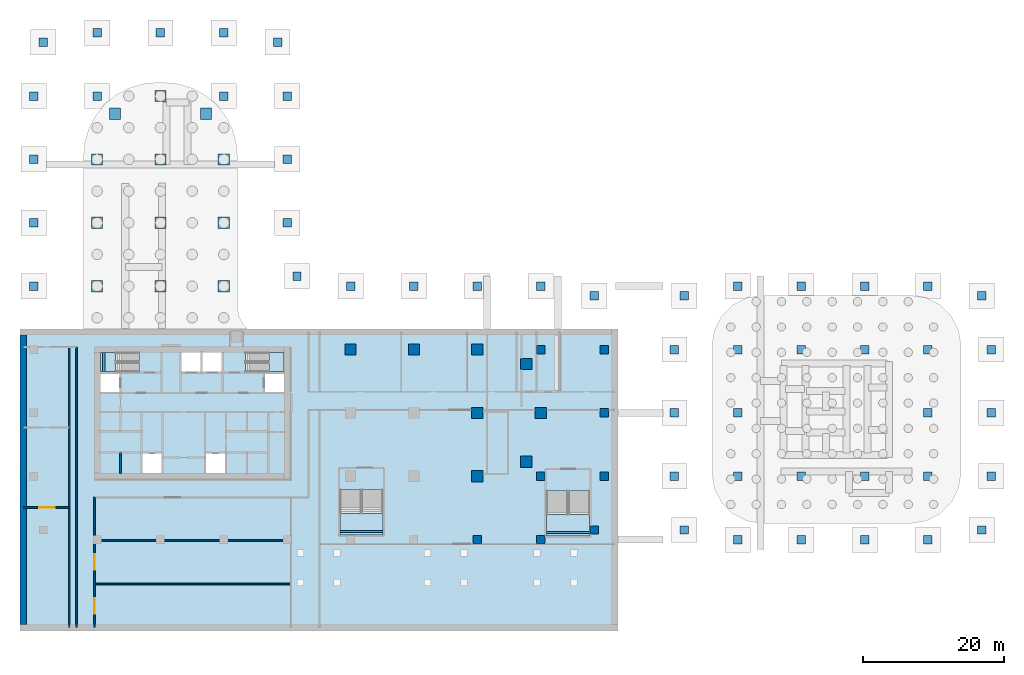
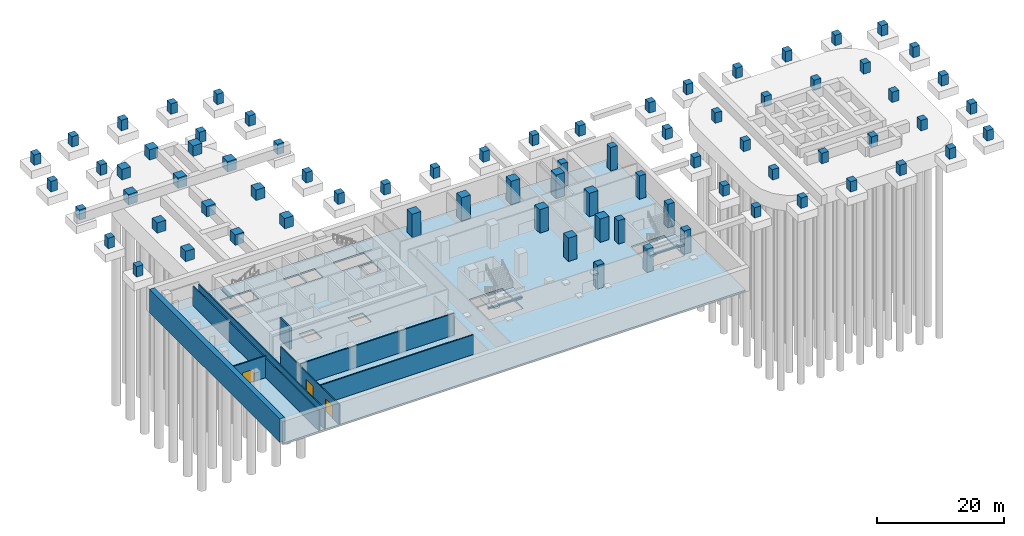
# One storey, part 3 of 14: 76 columns, 8 walls, 5 slabs, 3 beams, 3 doors, 3 openings, 4 elements without a shape of their own.
"""IFC4 building model written with IfcOpenShell, lengths in metres."""

from ifc_helpers import new_model, si_unit, direction, frame, frame_2d, origin, origin_2d, place, context, subcontext, project, spatial, polyline, rectangle, outline, extrude, material, layer, layer_set, material_profile, profile_set, type_object, element, fill, aggregate, save


model = new_model("IFC4")

# Units and contexts
model_context = context("Model", 3, precision=1e-05, world=origin(), true_north=direction((0.0, 1.0)))
body_context = subcontext(model_context, "Body", "Model", "MODEL_VIEW")
ifc_project = project(units=[si_unit("LENGTHUNIT", "METRE"), si_unit("AREAUNIT", "SQUARE_METRE"), si_unit("VOLUMEUNIT", "CUBIC_METRE"), si_unit("PLANEANGLEUNIT", "RADIAN"), si_unit("MASSUNIT", "GRAM", prefix="KILO")], contexts=[model_context])

# Site, building, storey
site_placement = place(None, origin())
site = spatial("IfcSite", under=ifc_project, at=site_placement, CompositionType="ELEMENT")
building_placement = place(site_placement, origin())
building = spatial("IfcBuilding", under=site, at=building_placement, Name="Ogive Portal Towers", CompositionType="ELEMENT")
storey_placement = place(building_placement, frame((0.0, 0.0, -4.5)))
storey = spatial("IfcBuildingStorey", under=building, at=storey_placement, Name="B1", CompositionType="ELEMENT", Elevation=-4.5)

# Columns
ifc_material_1 = material(Name="Concrete C50/60", Category="concrete")
ifc_material_profile_1 = material_profile(ifc_material_1, rectangle(XDim=1.199951171875, YDim=1.199951171875, at=origin_2d()), Name="RC 1200x1200")
ifc_profile_set_1 = profile_set([ifc_material_profile_1], Name="Concrete C50/60")
column_type_1 = type_object("IfcColumnType", Name="COLUMN RC 1200x1200", PredefinedType="COLUMN", material=ifc_profile_set_1)
for number, where, z_axis, x_axis, name in (
    (1, (85.5, 12.5, 0.0), (0.0, 0.0, 1.0), (1.0, 0.0, 0.0), "Column 7/Z B1"),
    (2, (94.5, 12.5, 0.0), (0.0, 0.0, 1.0), (1.0, 0.0, 0.0), "Column 8/Z B1"),
    (3, (102.1298828125, 13.8701171875, 0.0), (0.0, 0.0, 1.0), (1.0, 0.0, 0.0), "Column B1"),
    (4, (94.5, 21.5, 0.0), (0.0, 0.0, 1.0), (1.0, 0.0, 0.0), "Column 8/A B1"),
    (5, (103.5, 21.5, 0.0), (0.0, 0.0, 1.0), (1.0, 0.0, 0.0), "Column 9/A B1"),
    (6, (103.5, 30.5, 0.0), (0.0, 0.0, 1.0), (1.0, 0.0, 0.0), "Column 9/B B1"),
    (7, (94.5, 39.5, 0.0), (0.0, 0.0, 1.0), (1.0, 0.0, 0.0), "Column 8/C B1"),
    (8, (103.5, 39.5, 0.0), (0.0, 0.0, 1.0), (1.0, 0.0, 0.0), "Column 9/C B1"),
):
    element("IfcColumn", number, at=place(storey_placement, frame(where, z_axis=z_axis, x_axis=x_axis)), inside=storey, type_object=column_type_1, Name=name, PredefinedType="COLUMN", context=body_context, shape_type="SweptSolid", body=[
        extrude(rectangle(XDim=1.199951171875, YDim=1.199951171875, at=origin_2d()), origin(), (0.0, 0.0, 1.0), 4.5),
    ])
for number, where, z_axis, x_axis, name in (
    (9, (22.5, 48.5, 2.5), (0.0, 0.0, 1.0), (1.0, 0.0, 0.0), "Column stub B1"),
    (10, (22.5, 57.5, 2.5), (0.0, 0.0, 1.0), (1.0, 0.0, 0.0), "Column stub B1"),
    (11, (22.5, 66.5, 2.5), (0.0, 0.0, 1.0), (1.0, 0.0, 0.0), "Column stub B1"),
    (12, (22.5, 75.5, 2.5), (0.0, 0.0, 1.0), (1.0, 0.0, 0.0), "Column stub B1"),
    (13, (23.8701171875, 83.1298828125, 2.5), (0.0, 0.0, 1.0), (1.0, 0.0, 0.0), "Column stub B1"),
    (14, (31.5, 75.5, 2.5), (0.0, 0.0, 1.0), (1.0, 0.0, 0.0), "Column stub B1"),
    (15, (31.5, 84.5, 2.5), (0.0, 0.0, 1.0), (1.0, 0.0, 0.0), "Column stub B1"),
    (16, (40.5, 84.5, 2.5), (0.0, 0.0, 1.0), (1.0, 0.0, 0.0), "Column stub B1"),
    (17, (49.5, 75.5, 2.5), (0.0, 0.0, 1.0), (1.0, 0.0, 0.0), "Column stub B1"),
    (18, (49.5, 84.5, 2.5), (0.0, 0.0, 1.0), (1.0, 0.0, 0.0), "Column stub B1"),
    (19, (57.1298828125, 83.1298828125, 2.5), (0.0, 0.0, 1.0), (1.0, 0.0, 0.0), "Column stub B1"),
    (20, (58.5, 57.5, 2.5), (0.0, 0.0, 1.0), (1.0, 0.0, 0.0), "Column stub B1"),
    (21, (58.5, 66.5, 2.5), (0.0, 0.0, 1.0), (1.0, 0.0, 0.0), "Column stub B1"),
    (22, (58.5, 75.5, 2.5), (0.0, 0.0, 1.0), (1.0, 0.0, 0.0), "Column stub B1"),
    (23, (59.889892578125, 49.889892578125, 2.5), (0.0, 0.0, 1.0), (1.0, 0.0, 0.0), "Column stub B1"),
    (24, (67.5, 48.5, 2.5), (0.0, 0.0, 1.0), (1.0, 0.0, 0.0), "Column stub B1"),
    (25, (76.5, 48.5, 2.5), (0.0, 0.0, 1.0), (1.0, 0.0, 0.0), "Column stub B1"),
    (26, (85.5, 48.5, 2.5), (0.0, 0.0, 1.0), (1.0, 0.0, 0.0), "Column stub B1"),
    (27, (94.5, 48.5, 2.5), (0.0, 0.0, 1.0), (1.0, 0.0, 0.0), "Column stub B1"),
    (28, (102.1298828125, 47.1298828125, 2.5), (0.0, 0.0, 1.0), (1.0, 0.0, 0.0), "Column stub B1"),
    (29, (113.5, 21.5, 2.5), (0.0, 0.0, 1.0), (1.0, 0.0, 0.0), "Column stub B1"),
    (30, (113.5, 30.5, 2.5), (0.0, 0.0, 1.0), (1.0, 0.0, 0.0), "Column stub B1"),
    (31, (113.5, 39.5, 2.5), (0.0, 0.0, 1.0), (1.0, 0.0, 0.0), "Column stub B1"),
    (32, (114.8701171875, 13.8701171875, 2.5), (0.0, 0.0, 1.0), (1.0, 0.0, 0.0), "Column stub B1"),
    (33, (114.8701171875, 47.1298828125, 2.5), (0.0, 0.0, 1.0), (1.0, 0.0, 0.0), "Column stub B1"),
    (34, (122.5, 12.5, 2.5), (0.0, 0.0, 1.0), (1.0, 0.0, 0.0), "Column stub B1"),
    (35, (122.5, 21.5, 2.5), (0.0, 0.0, 1.0), (1.0, 0.0, 0.0), "Column stub B1"),
    (36, (122.5, 30.5, 2.5), (0.0, 0.0, 1.0), (1.0, 0.0, 0.0), "Column stub B1"),
    (37, (122.5, 39.5, 2.5), (0.0, 0.0, 1.0), (1.0, 0.0, 0.0), "Column stub B1"),
    (38, (122.5, 48.5, 2.5), (0.0, 0.0, 1.0), (1.0, 0.0, 0.0), "Column stub B1"),
    (39, (131.5, 12.5, 2.5), (0.0, 0.0, 1.0), (1.0, 0.0, 0.0), "Column stub B1"),
    (40, (131.5, 21.5, 2.5), (0.0, 0.0, 1.0), (1.0, 0.0, 0.0), "Column stub B1"),
    (41, (131.5, 39.5, 2.5), (0.0, 0.0, 1.0), (1.0, 0.0, 0.0), "Column stub B1"),
    (42, (131.5, 48.5, 2.5), (0.0, 0.0, 1.0), (1.0, 0.0, 0.0), "Column stub B1"),
    (43, (140.5, 12.5, 2.5), (0.0, 0.0, 1.0), (1.0, 0.0, 0.0), "Column stub B1"),
    (44, (140.5, 21.5, 2.5), (0.0, 0.0, 1.0), (1.0, 0.0, 0.0), "Column stub B1"),
    (45, (140.5, 39.5, 2.5), (0.0, 0.0, 1.0), (1.0, 0.0, 0.0), "Column stub B1"),
    (46, (140.5, 48.5, 2.5), (0.0, 0.0, 1.0), (1.0, 0.0, 0.0), "Column stub B1"),
    (47, (149.5, 12.5, 2.5), (0.0, 0.0, 1.0), (1.0, 0.0, 0.0), "Column stub B1"),
    (48, (149.5, 21.5, 2.5), (0.0, 0.0, 1.0), (1.0, 0.0, 0.0), "Column stub B1"),
    (49, (149.5, 30.5, 2.5), (0.0, 0.0, 1.0), (1.0, 0.0, 0.0), "Column stub B1"),
    (50, (149.5, 39.5, 2.5), (0.0, 0.0, 1.0), (1.0, 0.0, 0.0), "Column stub B1"),
    (51, (149.5, 48.5, 2.5), (0.0, 0.0, 1.0), (1.0, 0.0, 0.0), "Column stub B1"),
    (52, (157.1298828125, 13.8701171875, 2.5), (0.0, 0.0, 1.0), (1.0, 0.0, 0.0), "Column stub B1"),
    (53, (157.1298828125, 47.1298828125, 2.5), (0.0, 0.0, 1.0), (1.0, 0.0, 0.0), "Column stub B1"),
    (54, (158.5, 21.5, 2.5), (0.0, 0.0, 1.0), (1.0, 0.0, 0.0), "Column stub B1"),
    (55, (158.5, 30.5, 2.5), (0.0, 0.0, 1.0), (1.0, 0.0, 0.0), "Column stub B1"),
    (56, (158.5, 39.5, 2.5), (0.0, 0.0, 1.0), (1.0, 0.0, 0.0), "Column stub B1"),
):
    element("IfcColumn", number, at=place(storey_placement, frame(where, z_axis=z_axis, x_axis=x_axis)), inside=storey, type_object=column_type_1, Name=name, PredefinedType="COLUMN", context=body_context, shape_type="SweptSolid", body=[
        extrude(rectangle(XDim=1.199951171875, YDim=1.199951171875, at=origin_2d()), origin(), (0.0, 0.0, 1.0), 2.0),
    ])
ifc_material_2 = material(Name="Concrete C60/75", Category="concrete")
ifc_material_profile_2 = material_profile(ifc_material_2, rectangle(XDim=1.60009765625, YDim=1.60009765625, at=origin_2d()), Name="RC 1600x1600")
ifc_profile_set_2 = profile_set([ifc_material_profile_2], Name="Concrete C60/75")
column_type_2 = type_object("IfcColumnType", Name="COLUMN RC 1600x1600", PredefinedType="COLUMN", material=ifc_profile_set_2)
for number, where, z_axis, x_axis, name in (
    (57, (85.5, 21.5, 0.0), (0.0, 0.0, 1.0), (1.0, 0.0, 0.0), "Column 7/A B1"),
    (58, (85.5, 30.5, 0.0), (0.0, 0.0, 1.0), (1.0, 0.0, 0.0), "Column 7/B B1"),
    (59, (94.5, 30.5, 0.0), (0.0, 0.0, 1.0), (1.0, 0.0, 0.0), "Column 8/B B1"),
    (60, (67.5, 39.5, 0.0), (0.0, 0.0, 1.0), (1.0, 0.0, 0.0), "Column 5/C B1"),
    (61, (76.5, 39.5, 0.0), (0.0, 0.0, 1.0), (1.0, 0.0, 0.0), "Column 6/C B1"),
    (62, (85.5, 39.5, 0.0), (0.0, 0.0, 1.0), (1.0, 0.0, 0.0), "Column 7/C B1"),
    (63, (92.449951171875, 23.550048828125, 0.0), (0.0, 0.0, 1.0), (1.0, 0.0, 0.0), "Column B1"),
    (64, (92.449951171875, 37.449951171875, 0.0), (0.0, 0.0, 1.0), (1.0, 0.0, 0.0), "Column B1"),
):
    element("IfcColumn", number, at=place(storey_placement, frame(where, z_axis=z_axis, x_axis=x_axis)), inside=storey, type_object=column_type_2, Name=name, PredefinedType="COLUMN", context=body_context, shape_type="SweptSolid", body=[
        extrude(rectangle(XDim=1.60009765625, YDim=1.60009765625, at=origin_2d()), origin(), (0.0, 0.0, 1.0), 4.5),
    ])
for number, where, z_axis, x_axis, name in (
    (65, (31.5, 48.5, 2.5), (0.0, 0.0, 1.0), (1.0, 0.0, 0.0), "Column stub B1"),
    (66, (31.5, 57.5, 2.5), (0.0, 0.0, 1.0), (1.0, 0.0, 0.0), "Column stub B1"),
    (67, (31.5, 66.5, 2.5), (0.0, 0.0, 1.0), (1.0, 0.0, 0.0), "Column stub B1"),
    (68, (34.030029296875, 72.969970703125, 2.5), (0.0, 0.0, 1.0), (1.0, 0.0, 0.0), "Column stub B1"),
    (69, (40.5, 48.5, 2.5), (0.0, 0.0, 1.0), (1.0, 0.0, 0.0), "Column stub B1"),
    (70, (40.5, 57.5, 2.5), (0.0, 0.0, 1.0), (1.0, 0.0, 0.0), "Column stub B1"),
    (71, (40.5, 66.5, 2.5), (0.0, 0.0, 1.0), (1.0, 0.0, 0.0), "Column stub B1"),
    (72, (40.5, 75.5, 2.5), (0.0, 0.0, 1.0), (1.0, 0.0, 0.0), "Column stub B1"),
    (73, (46.969970703125, 72.969970703125, 2.5), (0.0, 0.0, 1.0), (1.0, 0.0, 0.0), "Column stub B1"),
    (74, (49.5, 48.5, 2.5), (0.0, 0.0, 1.0), (1.0, 0.0, 0.0), "Column stub B1"),
    (75, (49.5, 57.5, 2.5), (0.0, 0.0, 1.0), (1.0, 0.0, 0.0), "Column stub B1"),
    (76, (49.5, 66.5, 2.5), (0.0, 0.0, 1.0), (1.0, 0.0, 0.0), "Column stub B1"),
):
    element("IfcColumn", number, at=place(storey_placement, frame(where, z_axis=z_axis, x_axis=x_axis)), inside=storey, type_object=column_type_2, Name=name, PredefinedType="COLUMN", context=body_context, shape_type="SweptSolid", body=[
        extrude(rectangle(XDim=1.60009765625, YDim=1.60009765625, at=origin_2d()), origin(), (0.0, 0.0, 1.0), 2.0),
    ])

# Beams
ifc_material_3 = material(Name="Concrete C40/50", Category="concrete")
ifc_material_profile_3 = material_profile(ifc_material_3, rectangle(XDim=0.300048828125, YDim=0.39990234375, at=origin_2d()), Name="RC 300x400")
ifc_profile_set_3 = profile_set([ifc_material_profile_3], Name="Concrete C40/50")
beam_type = type_object("IfcBeamType", Name="BEAM RC 300x400", PredefinedType="BEAM", material=ifc_profile_set_3)
beam_1_placement = place(storey_placement, frame((32.449951171875, 36.35009765625, 1.85009765625), z_axis=(0.0, 1.0, 0.0), x_axis=(-1.0, 0.0, 0.0)))
element("IfcBeam", 77, at=beam_1_placement, inside=storey, type_object=beam_type, Name="Landing beam B1", PredefinedType="BEAM", context=body_context, shape_type="SweptSolid", body=[
    extrude(rectangle(XDim=0.300048828125, YDim=0.39990234375, at=origin_2d()), origin(), (0.0, 0.0, 1.0), 2.699951171875),
])
beam_2_placement = place(storey_placement, frame((66.0, 13.64990234375, 1.85009765625), z_axis=(1.0, 0.0, 0.0), x_axis=(0.0, 1.0, 0.0)))
element("IfcBeam", 78, at=beam_2_placement, inside=storey, type_object=beam_type, Name="Landing beam B1", PredefinedType="BEAM", context=body_context, shape_type="SweptSolid", body=[
    extrude(rectangle(XDim=0.300048828125, YDim=0.39990234375, at=origin_2d()), origin(), (0.0, 0.0, 1.0), 6.10009765625),
])
beam_3_placement = place(storey_placement, frame((95.35009765625, 13.5, 1.85009765625), z_axis=(1.0, 0.0, 0.0), x_axis=(0.0, 1.0, 0.0)))
element("IfcBeam", 79, at=beam_3_placement, inside=storey, type_object=beam_type, Name="Landing beam B1", PredefinedType="BEAM", context=body_context, shape_type="SweptSolid", body=[
    extrude(rectangle(XDim=0.300048828125, YDim=0.39990234375, at=origin_2d()), origin(), (0.0, 0.0, 1.0), 6.099853515625),
])

# Stair, slab
stair_type = type_object("IfcStairType", Name="INT-STAIR", PredefinedType="HALF_TURN_STAIR", material=ifc_material_3)
stair_1_placement = place(storey_placement, origin())
stair_1 = element("IfcStair", 80, at=stair_1_placement, inside=storey, type_object=stair_type, Name="B1 Exit Stair ST-A1", PredefinedType="HALF_TURN_STAIR")
ifc_layer_1 = layer(ifc_material_3, 0.199951171875)
ifc_layer_set_1 = layer_set([ifc_layer_1], Name="INT-LANDING")
slab_type_1 = type_object("IfcSlabType", Name="INT-LANDING", PredefinedType="LANDING", material=ifc_layer_set_1)
slab_1_placement = place(storey_placement, frame((0.0, 0.0, 2.050048828125)))
slab_1 = element("IfcSlab", 81, at=slab_1_placement, type_object=slab_type_1, Name="ST-A1 landing 1", PredefinedType="LANDING", context=body_context, shape_type="SweptSolid", body=[
    extrude(outline(polyline([(34.090087890625, 39.050048828125), (31.949951171875, 39.050048828125), (31.949951171875, 36.35009765625), (34.090087890625, 36.35009765625), (34.090087890625, 39.050048828125)])), origin(), (0.0, 0.0, 1.0), 0.199951171875),
])
aggregate(stair_1, [slab_1])

stair_2_placement = place(storey_placement, origin())
stair_2 = element("IfcStair", 82, at=stair_2_placement, inside=storey, type_object=stair_type, Name="B1 Exit Stair ST-A2", PredefinedType="HALF_TURN_STAIR")
slab_2_placement = place(storey_placement, frame((0.0, 0.0, 2.050048828125)))
slab_2 = element("IfcSlab", 83, at=slab_2_placement, type_object=slab_type_1, Name="ST-A2 landing 1", PredefinedType="LANDING", context=body_context, shape_type="SweptSolid", body=[
    extrude(outline(polyline([(55.909912109375, 36.35009765625), (58.050048828125, 36.35009765625), (58.050048828125, 39.050048828125), (55.909912109375, 39.050048828125), (55.909912109375, 36.35009765625)])), origin(), (0.0, 0.0, 1.0), 0.199951171875),
])
aggregate(stair_2, [slab_2])

stair_3_placement = place(storey_placement, origin())
stair_3 = element("IfcStair", 84, at=stair_3_placement, inside=storey, type_object=stair_type, Name="B1 Exit Stair ST-S1", PredefinedType="HALF_TURN_STAIR")
slab_3_placement = place(storey_placement, frame((0.0, 0.0, 2.050048828125)))
slab_3 = element("IfcSlab", 85, at=slab_3_placement, type_object=slab_type_1, Name="ST-S1 landing 1", PredefinedType="LANDING", context=body_context, shape_type="SweptSolid", body=[
    extrude(outline(polyline([(66.0, 16.18994140625), (66.0, 13.14990234375), (72.10009765625, 13.14990234375), (72.10009765625, 16.18994140625), (66.0, 16.18994140625)])), origin(), (0.0, 0.0, 1.0), 0.199951171875),
])
aggregate(stair_3, [slab_3])

stair_4_placement = place(storey_placement, origin())
stair_4 = element("IfcStair", 86, at=stair_4_placement, inside=storey, type_object=stair_type, Name="B1 Exit Stair ST-S2", PredefinedType="HALF_TURN_STAIR")
slab_4_placement = place(storey_placement, frame((0.0, 0.0, 2.050048828125)))
slab_4 = element("IfcSlab", 87, at=slab_4_placement, type_object=slab_type_1, Name="ST-S2 landing 1", PredefinedType="LANDING", context=body_context, shape_type="SweptSolid", body=[
    extrude(outline(polyline([(95.35009765625, 16.0400390625), (95.35009765625, 13.0), (101.449951171875, 13.0), (101.449951171875, 16.0400390625), (95.35009765625, 16.0400390625)])), origin(), (0.0, 0.0, 1.0), 0.199951171875),
])
aggregate(stair_4, [slab_4])

# Slab
ifc_material_4 = material(Name="Concrete C45/55", Category="concrete")
ifc_layer_2 = layer(ifc_material_4, 0.300048828125)
ifc_layer_set_2 = layer_set([ifc_layer_2], Name="PT FLAT PLATE 300")
slab_type_2 = type_object("IfcSlabType", Name="PT FLAT PLATE 300", PredefinedType="FLOOR", material=ifc_layer_set_2)
slab_5_placement = place(storey_placement, frame((0.0, 0.0, -0.300048828125)))
element("IfcSlab", 88, at=slab_5_placement, inside=storey, type_object=slab_type_2, Name="Floor slab B1", PredefinedType="FLOOR", context=body_context, shape_type="SweptSolid", body=[
    extrude(outline(polyline([(21.0, 0.0), (105.0, 0.0), (105.0, 42.0), (21.0, 42.0), (21.0, 0.0)]), holes=[polyline([(101.447998046875, 13.001953125), (95.35205078125, 13.001953125), (95.35205078125, 19.39794921875), (101.447998046875, 19.39794921875), (101.447998046875, 13.001953125)]), polyline([(72.097900390625, 13.152099609375), (66.001953125, 13.152099609375), (66.001953125, 19.548095703125), (72.097900390625, 19.548095703125), (72.097900390625, 13.152099609375)]), polyline([(40.6298828125, 24.72998046875), (40.6298828125, 21.969970703125), (37.969970703125, 21.969970703125), (37.969970703125, 24.72998046875), (40.6298828125, 24.72998046875)]), polyline([(49.6298828125, 21.969970703125), (46.969970703125, 21.969970703125), (46.969970703125, 24.72998046875), (49.6298828125, 24.72998046875), (49.6298828125, 21.969970703125)]), polyline([(34.64990234375, 36.050048828125), (34.64990234375, 33.5), (31.949951171875, 33.5), (31.949951171875, 36.050048828125), (34.64990234375, 36.050048828125)]), polyline([(55.35009765625, 36.050048828125), (58.050048828125, 36.050048828125), (58.050048828125, 33.5), (55.35009765625, 33.5), (55.35009765625, 36.050048828125)]), polyline([(31.951904296875, 36.35205078125), (31.951904296875, 39.048095703125), (37.447998046875, 39.048095703125), (37.447998046875, 36.35205078125), (31.951904296875, 36.35205078125)]), polyline([(43.5, 39.050048828125), (46.199951171875, 39.050048828125), (46.199951171875, 36.35009765625), (43.5, 36.35009765625), (43.5, 39.050048828125)]), polyline([(49.199951171875, 39.050048828125), (49.199951171875, 36.35009765625), (46.5, 36.35009765625), (46.5, 39.050048828125), (49.199951171875, 39.050048828125)]), polyline([(58.048095703125, 36.35205078125), (52.552001953125, 36.35205078125), (52.552001953125, 39.048095703125), (58.048095703125, 39.048095703125), (58.048095703125, 36.35205078125)])]), origin(), (0.0, 0.0, 1.0), 0.300048828125),
])

# Walls
ifc_layer_3 = layer(ifc_material_3, 0.89990234375)
ifc_layer_set_3 = layer_set([ifc_layer_3], Name="STATION WALL 900 C40")
wall_type_1 = type_object("IfcWallType", Name="STATION WALL 900 C40", PredefinedType="SOLIDWALL", material=ifc_layer_set_3)
wall_1_placement = place(storey_placement, frame((21.0, 41.550048828125, 0.0), z_axis=(0.0, 0.0, 1.0), x_axis=(0.0, -1.0, 0.0)))
element("IfcWall", 89, at=wall_1_placement, inside=storey, type_object=wall_type_1, Name="Station wall B1", PredefinedType="SOLIDWALL", context=body_context, shape_type="SweptSolid", body=[
    extrude(rectangle(XDim=41.10009765625, YDim=0.89990234375, at=frame_2d((20.550048828125, 0.0))), origin(), (0.0, 0.0, 1.0), 4.5),
])
ifc_material_5 = material(Name="Gypsum board partition on steel studs", Category="steel")
ifc_layer_4 = layer(ifc_material_5, 0.199951171875)
ifc_layer_set_4 = layer_set([ifc_layer_4], Name="WT-PART-200-EI 60")
wall_type_2 = type_object("IfcWallType", Name="WT-PART-200-EI 60", PredefinedType="PARTITIONING", material=ifc_layer_set_4)
wall_2_placement = place(storey_placement, frame((31.14990234375, 12.35009765625, 0.0), z_axis=(0.0, 0.0, 1.0), x_axis=(1.0, 0.0, 0.0)))
element("IfcWall", 90, at=wall_2_placement, inside=storey, type_object=wall_type_2, Name="Wall B1:w002", PredefinedType="PARTITIONING", context=body_context, shape_type="SweptSolid", body=[
    extrude(rectangle(XDim=27.900146484375, YDim=0.199951171875, at=frame_2d((13.9501953125, 0.0))), origin(), (0.0, 0.0, 1.0), 4.199951171875),
])

# Wall, opening, door
wall_3_placement = place(storey_placement, frame((21.070068359375, 17.050048828125, 0.0), z_axis=(0.0, 0.0, 1.0), x_axis=(1.0, 0.0, 0.0)))
wall_3 = element("IfcWall", 91, at=wall_3_placement, inside=storey, type_object=wall_type_2, Name="Wall B1:w005", PredefinedType="PARTITIONING", context=body_context, shape_type="SweptSolid", body=[
    extrude(rectangle(XDim=6.47998046875, YDim=0.199951171875, at=frame_2d((3.239990234375, 0.0))), origin(), (0.0, 0.0, 1.0), 4.199951171875),
])
opening_1_placement = place(wall_3_placement, frame((2.179931640625, 0.0, 0.0)))
opening_1 = element("IfcOpeningElement", 92, at=opening_1_placement, cuts=wall_3, Name="Opening PB1-016", PredefinedType="OPENING", context=body_context, shape_type="SweptSolid", body=[
    extrude(rectangle(XDim=2.199951171875, YDim=2.39990234375, at=frame_2d((1.10009765625, 1.199951171875))), frame((0.0, 0.10986328125, 0.0), z_axis=(0.0, -1.0, 0.0), x_axis=(1.0, 0.0, 0.0)), (0.0, 0.0, 1.0), 0.219970703125),
])
ifc_material_6 = material(Name="Steel fire door", Category="steel")
door_type = type_object("IfcDoorType", Name="DT-PLANT-2200x2400-FD60S", OperationType="SINGLE_SWING_LEFT", PredefinedType="DOOR", material=ifc_material_6)
door_1_placement = place(opening_1_placement, origin())
door_1 = element("IfcDoor", 93, at=door_1_placement, inside=storey, type_object=door_type, Name="Door PB1-016", OperationType="SINGLE_SWING_RIGHT", OverallHeight=2.39990234375, OverallWidth=2.199951171875, PredefinedType="DOOR", context=body_context, shape_type="SweptSolid", body=[
    extrude(rectangle(XDim=2.199951171875, YDim=2.39990234375, at=frame_2d((1.10009765625, 1.199951171875))), frame((0.0, 0.02490234375, 0.0), z_axis=(0.0, -1.0, 0.0), x_axis=(1.0, 0.0, 0.0)), (0.0, 0.0, 1.0), 0.050048828125),
])
fill(opening_1, door_1)

# Walls
wall_4_placement = place(storey_placement, frame((31.14990234375, 6.199951171875, 0.0), z_axis=(0.0, 0.0, 1.0), x_axis=(1.0, 0.0, 0.0)))
element("IfcWall", 94, at=wall_4_placement, inside=storey, type_object=wall_type_2, Name="Wall B1:w016", PredefinedType="PARTITIONING", context=body_context, shape_type="SweptSolid", body=[
    extrude(rectangle(XDim=27.900146484375, YDim=0.199951171875, at=frame_2d((13.9501953125, 0.0))), origin(), (0.0, 0.0, 1.0), 3.800048828125),
])
for number, where, z_axis, x_axis, name in (
    (95, (27.550048828125, 0.070068359375, 0.0), (0.0, 0.0, 1.0), (0.0, 1.0, 0.0), "Wall B1:w018"),
    (96, (28.550048828125, 0.070068359375, 0.0), (0.0, 0.0, 1.0), (0.0, 1.0, 0.0), "Wall B1:w019"),
):
    element("IfcWall", number, at=place(storey_placement, frame(where, z_axis=z_axis, x_axis=x_axis)), inside=storey, type_object=wall_type_2, Name=name, PredefinedType="PARTITIONING", context=body_context, shape_type="SweptSolid", body=[
        extrude(rectangle(XDim=39.780029296875, YDim=0.199951171875, at=frame_2d((19.89013671875, 0.0))), origin(), (0.0, 0.0, 1.0), 3.800048828125),
    ])

# Wall, openings, doors
wall_5_placement = place(storey_placement, frame((31.14990234375, 0.070068359375, 0.0), z_axis=(0.0, 0.0, 1.0), x_axis=(0.0, 1.0, 0.0)))
wall_5 = element("IfcWall", 97, at=wall_5_placement, inside=storey, type_object=wall_type_2, Name="Wall B1:w020", PredefinedType="PARTITIONING", context=body_context, shape_type="SweptSolid", body=[
    extrude(rectangle(XDim=18.429931640625, YDim=0.199951171875, at=frame_2d((9.21484375, 0.0))), origin(), (0.0, 0.0, 1.0), 3.800048828125),
])
opening_2_placement = place(wall_5_placement, frame((1.929931640625, 0.0, 0.0)))
opening_2 = element("IfcOpeningElement", 98, at=opening_2_placement, cuts=wall_5, Name="Opening PB1-012", PredefinedType="OPENING", context=body_context, shape_type="SweptSolid", body=[
    extrude(rectangle(XDim=2.199951171875, YDim=2.39990234375, at=frame_2d((1.10009765625, 1.199951171875))), frame((0.0, 0.10986328125, 0.0), z_axis=(0.0, -1.0, 0.0), x_axis=(1.0, 0.0, 0.0)), (0.0, 0.0, 1.0), 0.219970703125),
])
opening_3_placement = place(wall_5_placement, frame((8.1298828125, 0.0, 0.0)))
opening_3 = element("IfcOpeningElement", 99, at=opening_3_placement, cuts=wall_5, Name="Opening PB1-013", PredefinedType="OPENING", context=body_context, shape_type="SweptSolid", body=[
    extrude(rectangle(XDim=2.199951171875, YDim=2.39990234375, at=frame_2d((1.10009765625, 1.199951171875))), frame((0.0, 0.10986328125, 0.0), z_axis=(0.0, -1.0, 0.0), x_axis=(1.0, 0.0, 0.0)), (0.0, 0.0, 1.0), 0.219970703125),
])
door_2_placement = place(opening_2_placement, origin())
door_2 = element("IfcDoor", 100, at=door_2_placement, inside=storey, type_object=door_type, Name="Door PB1-012", OperationType="SINGLE_SWING_RIGHT", OverallHeight=2.39990234375, OverallWidth=2.199951171875, PredefinedType="DOOR", context=body_context, shape_type="SweptSolid", body=[
    extrude(rectangle(XDim=2.199951171875, YDim=2.39990234375, at=frame_2d((1.10009765625, 1.199951171875))), frame((0.0, 0.02490234375, 0.0), z_axis=(0.0, -1.0, 0.0), x_axis=(1.0, 0.0, 0.0)), (0.0, 0.0, 1.0), 0.050048828125),
])
fill(opening_2, door_2)
door_3_placement = place(opening_3_placement, origin())
door_3 = element("IfcDoor", 101, at=door_3_placement, inside=storey, type_object=door_type, Name="Door PB1-013", OperationType="SINGLE_SWING_LEFT", OverallHeight=2.39990234375, OverallWidth=2.199951171875, PredefinedType="DOOR", context=body_context, shape_type="SweptSolid", body=[
    extrude(rectangle(XDim=2.199951171875, YDim=2.39990234375, at=frame_2d((1.10009765625, 1.199951171875))), frame((0.0, 0.02490234375, 0.0), z_axis=(0.0, -1.0, 0.0), x_axis=(1.0, 0.0, 0.0)), (0.0, 0.0, 1.0), 0.050048828125),
])
fill(opening_3, door_3)

# Wall
ifc_layer_5 = layer(ifc_material_3, 0.300048828125)
ifc_layer_set_5 = layer_set([ifc_layer_5], Name="WT-SHAFT-300")
wall_type_3 = type_object("IfcWallType", Name="WT-SHAFT-300", PredefinedType="SOLIDWALL", material=ifc_layer_set_5)
wall_6_placement = place(storey_placement, frame((34.800048828125, 21.800048828125, 0.0), z_axis=(0.0, 0.0, 1.0), x_axis=(0.0, 1.0, 0.0)))
element("IfcWall", 102, at=wall_6_placement, inside=storey, type_object=wall_type_3, Name="Wall pw:010:B1", PredefinedType="SOLIDWALL", context=body_context, shape_type="SweptSolid", body=[
    extrude(rectangle(XDim=3.099853515625, YDim=0.300048828125, at=frame_2d((1.5498046875, 0.0))), origin(), (0.0, 0.0, 1.0), 4.199951171875),
])

save(model, "model.ifc")
